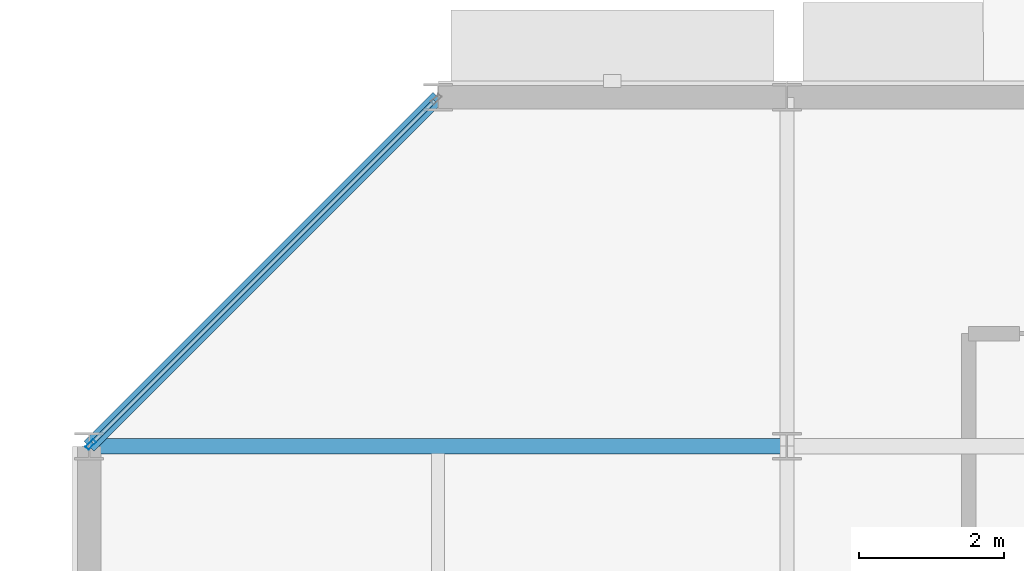
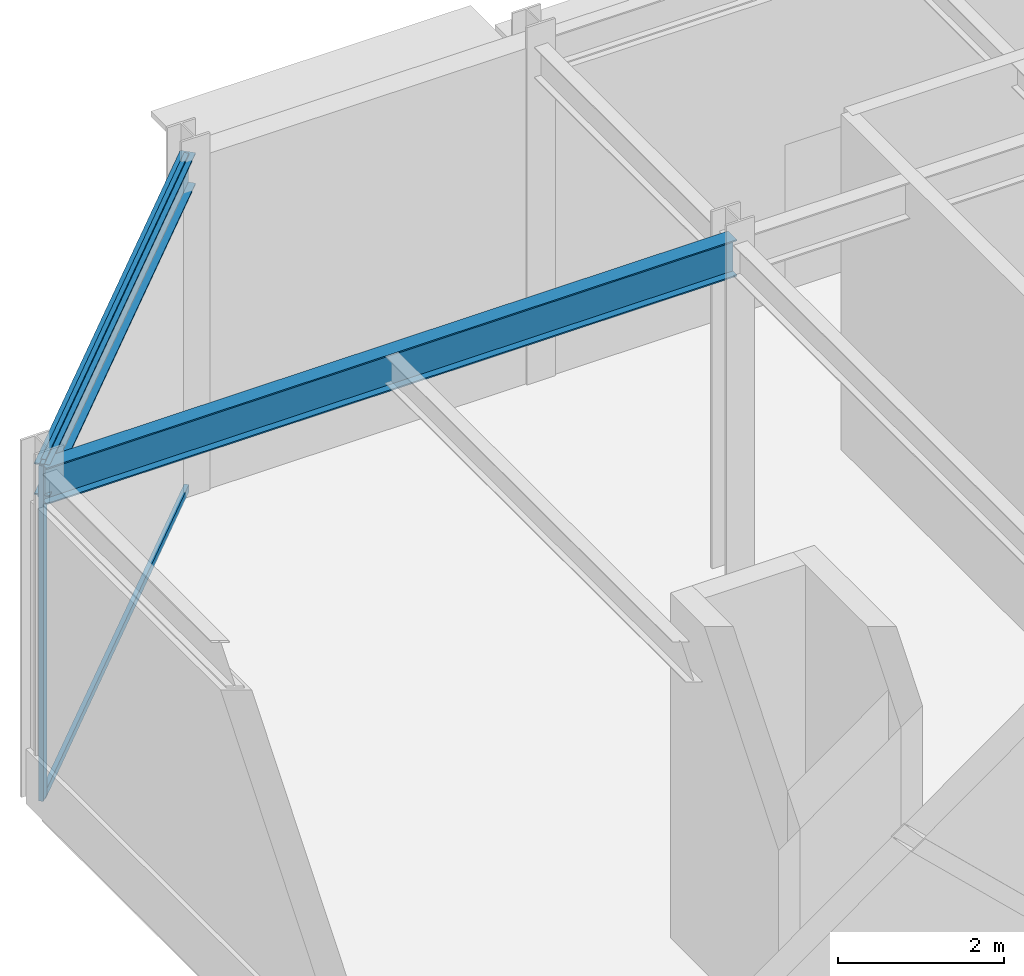
# One storey, part 73 of 168: 3 members, 2 beams, 1 element without a shape of its own.
"""IFC4 building model written with IfcOpenShell, lengths in metres."""

from ifc_helpers import new_model, si_unit, direction, frame, origin, origin_2d, place, context, subcontext, project, spatial, hollow_rectangle, i_section, extrude, material, material_profile, profile_set, type_object, element, aggregate, save


model = new_model("IFC4")

# Units and contexts
model_context = context("Model", 3, precision=1e-05, world=origin(), true_north=direction((0.0, 1.0)))
body_context = subcontext(model_context, "Body", "Model", "MODEL_VIEW")
ifc_project = project(units=[si_unit("LENGTHUNIT", "METRE"), si_unit("AREAUNIT", "SQUARE_METRE"), si_unit("VOLUMEUNIT", "CUBIC_METRE"), si_unit("PLANEANGLEUNIT", "RADIAN"), si_unit("MASSUNIT", "GRAM", prefix="KILO")], contexts=[model_context])

# Site, building, storey
site_placement = place(None, origin())
site = spatial("IfcSite", under=ifc_project, at=site_placement, CompositionType="ELEMENT")
building_placement = place(site_placement, origin())
building = spatial("IfcBuilding", under=site, at=building_placement, Name="Almandine Court Research Institute", CompositionType="ELEMENT")
storey_placement = place(building_placement, origin())
storey = spatial("IfcBuildingStorey", under=building, at=storey_placement, Name="L00", CompositionType="ELEMENT", Elevation=0.0)

# Beams
ifc_material_1 = material(Name="Steel ASTM A992 Grade 50", Category="steel")
ifc_material_profile_1 = material_profile(ifc_material_1, i_section(OverallWidth=0.2109375, OverallDepth=0.5390625, WebThickness=0.011962890625, FlangeThickness=0.01904296875, at=origin_2d()), Name="W530x109")
ifc_profile_set_1 = profile_set([ifc_material_profile_1], Name="Steel ASTM A992 Grade 50")
beam_type_1 = type_object("IfcBeamType", Name="Beam-G-04", PredefinedType="BEAM", material=ifc_profile_set_1)
beam_1_placement = place(storey_placement, frame((6.0, 112.800048828125, 4.659912109375), z_axis=(1.0, 0.0, 0.0), x_axis=(0.0, 1.0, 0.0)))
element("IfcBeam", 1, at=beam_1_placement, inside=storey, type_object=beam_type_1, Name="L00 V3 Primary X Girder", PredefinedType="BEAM", context=body_context, shape_type="SweptSolid", body=[
    extrude(i_section(OverallWidth=0.2109375, OverallDepth=0.5390625, WebThickness=0.011962890625, FlangeThickness=0.01904296875, at=origin_2d()), origin(), (0.0, 0.0, 1.0), 9.60009765625),
])
ifc_material_profile_2 = material_profile(ifc_material_1, i_section(OverallWidth=0.193115234375, OverallDepth=0.466064453125, WebThickness=0.010986328125, FlangeThickness=0.01904296875, at=origin_2d()), Name="W460x97")
ifc_profile_set_2 = profile_set([ifc_material_profile_2], Name="Steel ASTM A992 Grade 50")
beam_type_2 = type_object("IfcBeamType", Name="Beam-G-06-E", PredefinedType="SPANDREL", material=ifc_profile_set_2)
beam_2_placement = place(storey_placement, frame((10.800048828125, 117.60009765625, 4.697021484375), z_axis=(-0.707106781187, -0.707106781187, 0.0), x_axis=(0.707106781187, -0.707106781187, 0.0)))
element("IfcBeam", 2, at=beam_2_placement, inside=storey, type_object=beam_type_2, Name="L00 V3 Octagonal Chamfer Spandrel", PredefinedType="SPANDREL", context=body_context, shape_type="SweptSolid", body=[
    extrude(i_section(OverallWidth=0.193115234375, OverallDepth=0.466064453125, WebThickness=0.010986328125, FlangeThickness=0.01904296875, at=origin_2d()), origin(), (0.0, 0.0, 1.0), 6.788330078125),
])

# Curtain wall, members
ifc_material_2 = material(Name="Unitised Curtain Wall Framing and Solar Glazing", Category="glass")
curtain_wall_type = type_object("IfcCurtainWallType", Name="CW-CWG-04", PredefinedType="USERDEFINED", material=ifc_material_2)
curtain_wall_placement = place(storey_placement, origin())
curtain_wall = element("IfcCurtainWall", 3, at=curtain_wall_placement, inside=storey, type_object=curtain_wall_type, Name="L00 Cleanroom NW Chamfer Glazing", ObjectType="UNITISED GLAZING", PredefinedType="USERDEFINED")
ifc_material_3 = material(Name="Anodised Aluminium AW-6063-T6", Category="aluminium")
ifc_material_profile_3 = material_profile(ifc_material_3, hollow_rectangle(XDim=0.06005859375, YDim=0.14990234375, WallThickness=0.00390625, at=origin_2d()), Name="ALU RHS 60x150x4")
ifc_profile_set_3 = profile_set([ifc_material_profile_3], Name="Anodised Aluminium AW-6063-T6")
member_type_1 = type_object("IfcMemberType", Name="CWMul-60x150", PredefinedType="MULLION", material=ifc_profile_set_3)
member_1_placement = place(storey_placement, frame((6.025146484375, 112.8251953125, 0.0), z_axis=(0.0, 0.0, 1.0), x_axis=(-0.707106781187, 0.707106781187, 0.0)))
member_1 = element("IfcMember", 4, at=member_1_placement, type_object=member_type_1, Name="CWG-04 mullion 1", PredefinedType="MULLION", context=body_context, shape_type="SweptSolid", body=[
    extrude(hollow_rectangle(XDim=0.06005859375, YDim=0.14990234375, WallThickness=0.00390625, at=origin_2d()), origin(), (0.0, 0.0, 1.0), 4.929931640625),
])
ifc_material_profile_4 = material_profile(ifc_material_3, hollow_rectangle(XDim=0.06005859375, YDim=0.110107421875, WallThickness=0.00390625, at=origin_2d()), Name="ALU RHS 60x110x4")
ifc_profile_set_4 = profile_set([ifc_material_profile_4], Name="Anodised Aluminium AW-6063-T6")
member_type_2 = type_object("IfcMemberType", Name="CWTrn-60x110", PredefinedType="NOTDEFINED", material=ifc_profile_set_4)
member_2_placement = place(storey_placement, frame((6.04638671875, 112.846435546875, 0.030029296875), z_axis=(0.707125118305, 0.707088443593, 0.0), x_axis=(-0.707088443593, 0.707125118305, 0.0)))
member_2 = element("IfcMember", 5, at=member_2_placement, type_object=member_type_2, Name="CWG-04 transom 1.1", ObjectType="TRANSOM", PredefinedType="USERDEFINED", context=body_context, shape_type="SweptSolid", body=[
    extrude(hollow_rectangle(XDim=0.06005859375, YDim=0.110107421875, WallThickness=0.00390625, at=origin_2d()), origin(), (0.0, 0.0, 1.0), 6.656982421875),
])
member_3_placement = place(storey_placement, frame((6.04638671875, 112.846435546875, 4.89990234375), z_axis=(0.707125118305, 0.707088443593, 0.0), x_axis=(-0.707088443593, 0.707125118305, 0.0)))
member_3 = element("IfcMember", 6, at=member_3_placement, type_object=member_type_2, Name="CWG-04 transom 1.2", ObjectType="TRANSOM", PredefinedType="USERDEFINED", context=body_context, shape_type="SweptSolid", body=[
    extrude(hollow_rectangle(XDim=0.06005859375, YDim=0.110107421875, WallThickness=0.00390625, at=origin_2d()), origin(), (0.0, 0.0, 1.0), 6.656982421875),
])
aggregate(curtain_wall, [member_1, member_2, member_3])

save(model, "model.ifc")
